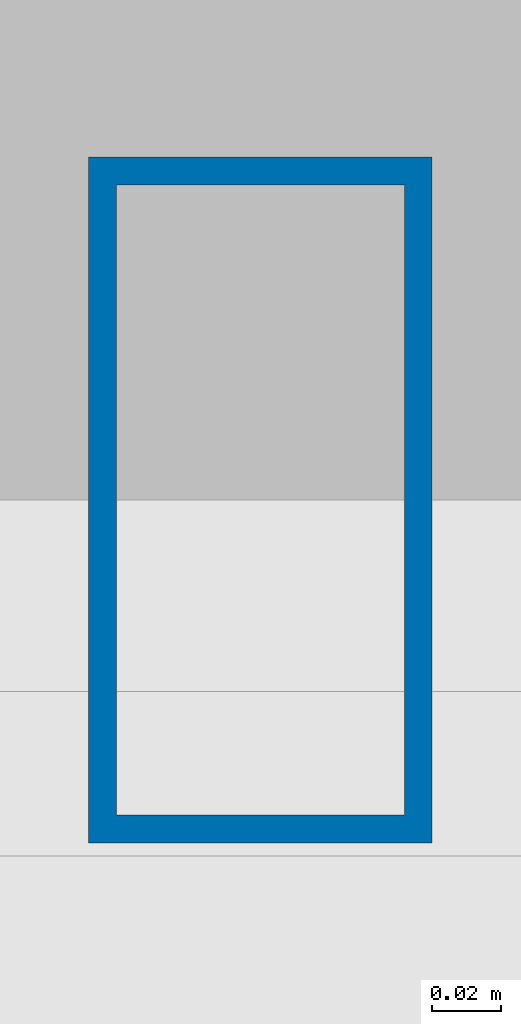
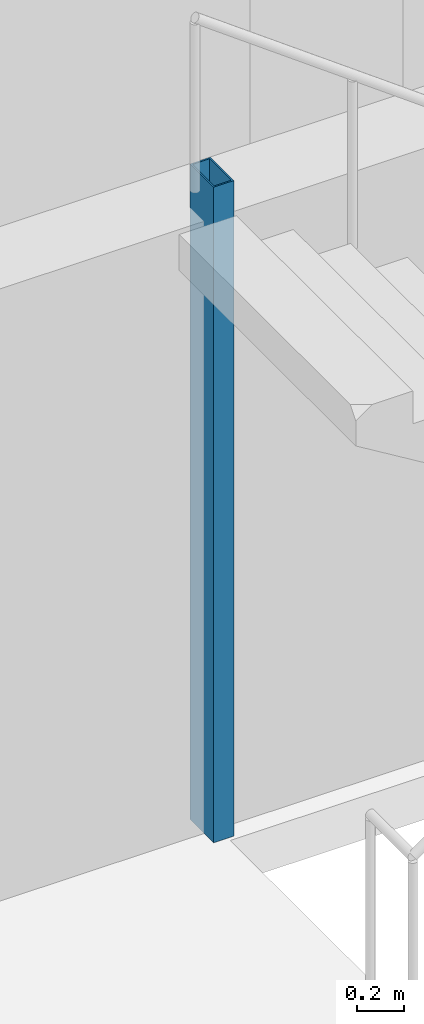
# One storey, part 2 of 20: 1 column.
"""IFC4 building model written with IfcOpenShell, lengths in metres."""

from ifc_helpers import new_model, si_unit, direction, frame, origin, origin_2d, place, context, subcontext, project, spatial, hollow_rectangle, extrude, material, material_profile, profile_set, type_object, element, save


model = new_model("IFC4")

# Units and contexts
model_context = context("Model", 3, precision=1e-05, world=origin(), true_north=direction((0.0, 1.0)))
body_context = subcontext(model_context, "Body", "Model", "MODEL_VIEW")
ifc_project = project(units=[si_unit("LENGTHUNIT", "METRE"), si_unit("AREAUNIT", "SQUARE_METRE"), si_unit("VOLUMEUNIT", "CUBIC_METRE"), si_unit("PLANEANGLEUNIT", "RADIAN"), si_unit("MASSUNIT", "GRAM", prefix="KILO")], contexts=[model_context])

# Site, building, storey
site_placement = place(None, origin())
site = spatial("IfcSite", under=ifc_project, at=site_placement, CompositionType="ELEMENT")
building_placement = place(site_placement, origin())
building = spatial("IfcBuilding", under=site, at=building_placement, Name="Menara Jurai Vektor", CompositionType="ELEMENT")
storey_placement = place(building_placement, frame((0.0, 0.0, 185.39990234375)))
storey = spatial("IfcBuildingStorey", under=building, at=storey_placement, Name="L48", CompositionType="ELEMENT", Elevation=185.39990234375)

# Column
ifc_material = material(Name="Steel S355", Category="steel")
ifc_material_profile = material_profile(ifc_material, hollow_rectangle(XDim=0.10009765625, YDim=0.199951171875, WallThickness=0.008056640625, at=origin_2d()), Name="RHS 200x100x8")
ifc_profile_set = profile_set([ifc_material_profile], Name="Steel S355")
column_type = type_object("IfcColumnType", Name="STR-COL-STAIR", PredefinedType="COLUMN", material=ifc_profile_set)
column_placement = place(storey_placement, frame((-11.1201171875, 5.419921875, 0.0), z_axis=(0.0, 0.0, 1.0), x_axis=(1.0, 0.0, 0.0)))
element("IfcColumn", 1, at=column_placement, inside=storey, type_object=column_type, Name="Stair Well Header Column ST1-P2 L48", PredefinedType="COLUMN", context=body_context, shape_type="SweptSolid", body=[
    extrude(hollow_rectangle(XDim=0.10009765625, YDim=0.199951171875, WallThickness=0.008056640625, at=origin_2d()), origin(), (0.0, 0.0, 1.0), 3.400146484375),
])

save(model, "model.ifc")
